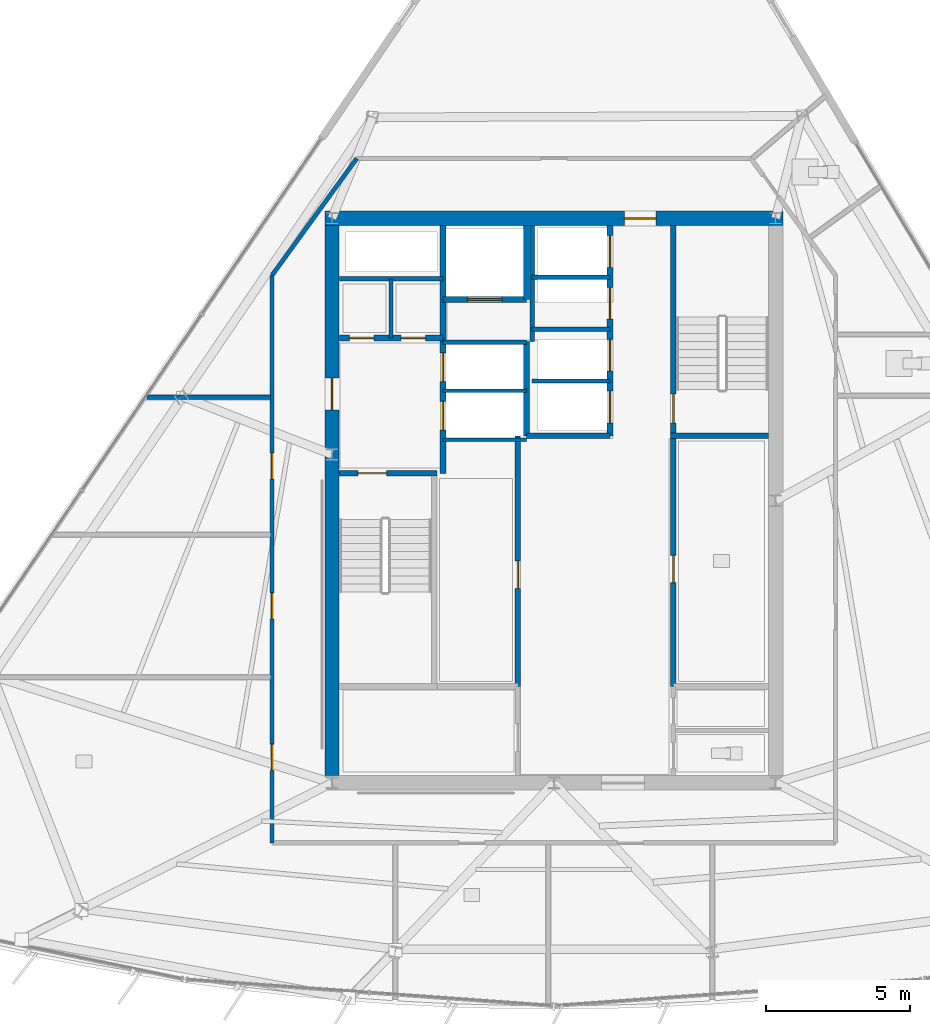
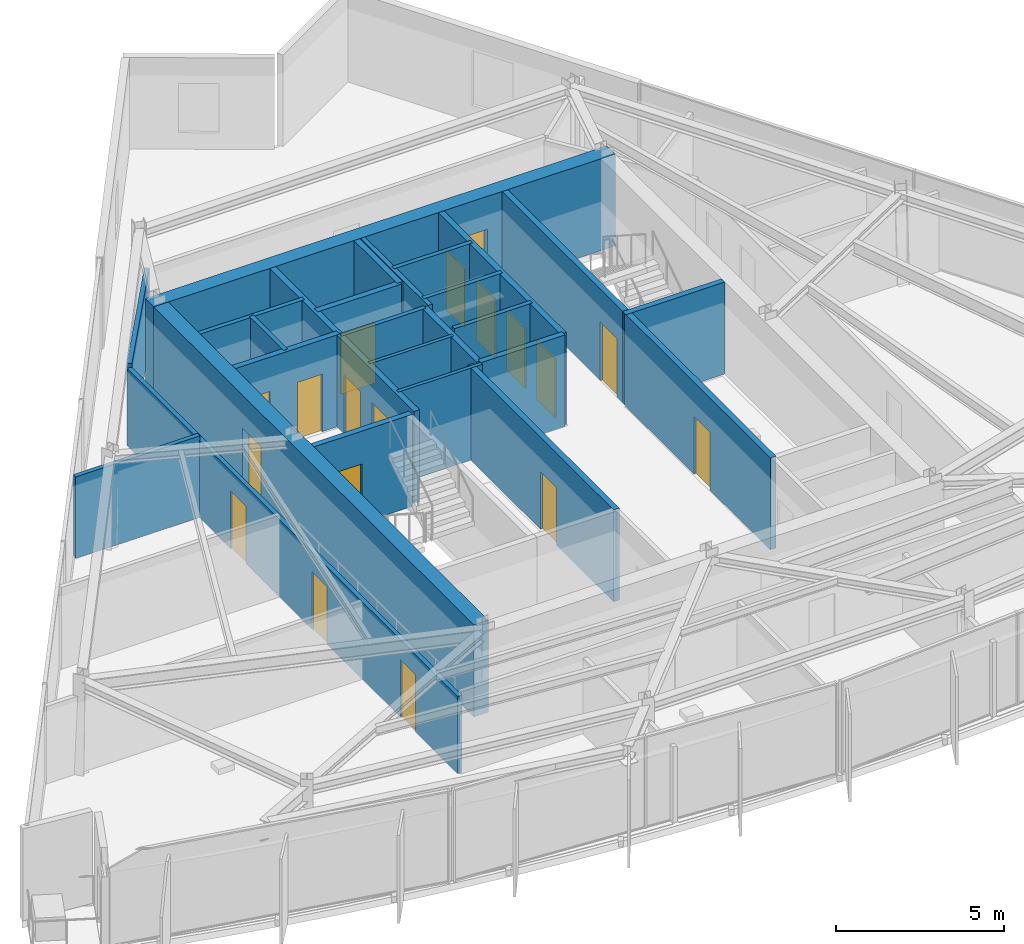
# One storey, part 7 of 13: 26 walls, 18 doors, 18 openings.
"""IFC4 building model written with IfcOpenShell, lengths in metres."""

from ifc_helpers import new_model, si_unit, direction, frame, frame_2d, origin, place, context, subcontext, project, spatial, rectangle, extrude, material, layer, layer_set, type_object, element, fill, save


model = new_model("IFC4")

# Units and contexts
model_context = context("Model", 3, precision=1e-05, world=origin(), true_north=direction((0.0, 1.0)))
body_context = subcontext(model_context, "Body", "Model", "MODEL_VIEW")
ifc_project = project(units=[si_unit("LENGTHUNIT", "METRE"), si_unit("AREAUNIT", "SQUARE_METRE"), si_unit("VOLUMEUNIT", "CUBIC_METRE"), si_unit("PLANEANGLEUNIT", "RADIAN"), si_unit("MASSUNIT", "GRAM", prefix="KILO")], contexts=[model_context])

# Site, building, storey
site_placement = place(None, origin())
site = spatial("IfcSite", under=ifc_project, at=site_placement, CompositionType="ELEMENT")
building_placement = place(site_placement, origin())
building = spatial("IfcBuilding", under=site, at=building_placement, Name="Savorim Split Tower", CompositionType="ELEMENT")
storey_placement = place(building_placement, frame((0.0, 0.0, 223.5)))
storey = spatial("IfcBuildingStorey", under=building, at=storey_placement, Name="L59", CompositionType="ELEMENT", Elevation=223.5)

# Wall, opening, door
ifc_material_1 = material(Name="Concrete C60/75", Category="concrete")
ifc_layer_1 = layer(ifc_material_1, 0.5)
ifc_layer_set_1 = layer_set([ifc_layer_1], Name="WAL-COR-SH500")
wall_type_1 = type_object("IfcWallType", Name="WAL-COR-SH500", PredefinedType="SHEAR", material=ifc_layer_set_1)
wall_1_placement = place(storey_placement, frame((7.949951171875, 10.199951171875, 0.0), z_axis=(0.0, 0.0, 1.0), x_axis=(-1.0, 0.0, 0.0)))
wall_1 = element("IfcWall", 1, at=wall_1_placement, inside=storey, type_object=wall_type_1, Name="L59 Offset Core North Shear Wall", PredefinedType="SHEAR", context=body_context, shape_type="SweptSolid", body=[
    extrude(rectangle(XDim=15.89990234375, YDim=0.5, at=frame_2d((7.949951171875, 0.0))), origin(), (0.0, 0.0, 1.0), 3.35009765625),
])
opening_1_placement = place(wall_1_placement, frame((4.39990234375, 0.0, 0.0)))
opening_1 = element("IfcOpeningElement", 2, at=opening_1_placement, cuts=wall_1, Name="Opening DI-03", PredefinedType="OPENING", context=body_context, shape_type="SweptSolid", body=[
    extrude(rectangle(XDim=1.10009765625, YDim=2.14990234375, at=frame_2d((0.550048828125, 1.074951171875))), frame((0.0, 0.260009765625, 0.0), z_axis=(0.0, -1.0, 0.0), x_axis=(1.0, 0.0, 0.0)), (0.0, 0.0, 1.0), 0.52001953125),
])
ifc_material_2 = material(Name="Timber Fire Door Leaf", Category="wood")
door_type_1 = type_object("IfcDoorType", Name="DOR-FIR-1100", OperationType="NOTDEFINED", PredefinedType="DOOR", material=ifc_material_2)
door_1_placement = place(opening_1_placement, origin())
door_1 = element("IfcDoor", 3, at=door_1_placement, inside=storey, type_object=door_type_1, Name="DOR-L59-COR-NLOB - L59 North Corridor Lobby Fire Door", OperationType="SINGLE_SWING_RIGHT", OverallHeight=2.14990234375, OverallWidth=1.10009765625, PredefinedType="DOOR", context=body_context, shape_type="SweptSolid", body=[
    extrude(rectangle(XDim=1.10009765625, YDim=2.14990234375, at=frame_2d((0.550048828125, 1.074951171875))), frame((0.0, 0.02490234375, 0.0), z_axis=(0.0, -1.0, 0.0), x_axis=(1.0, 0.0, 0.0)), (0.0, 0.0, 1.0), 0.050048828125),
])
fill(opening_1, door_1)

wall_2_placement = place(storey_placement, frame((-7.699951171875, -9.14990234375, 0.0), z_axis=(0.0, 0.0, 1.0), x_axis=(0.0, 1.0, 0.0)))
wall_2 = element("IfcWall", 4, at=wall_2_placement, inside=storey, type_object=wall_type_1, Name="L59 Offset Core West Shear Wall", PredefinedType="SHEAR", context=body_context, shape_type="SweptSolid", body=[
    extrude(rectangle(XDim=19.099853515625, YDim=0.5, at=frame_2d((9.5498046875, 0.0))), origin(), (0.0, 0.0, 1.0), 3.35009765625),
])
opening_2_placement = place(wall_2_placement, frame((12.699951171875, 0.0, 0.0)))
opening_2 = element("IfcOpeningElement", 5, at=opening_2_placement, cuts=wall_2, Name="Opening DI-03", PredefinedType="OPENING", context=body_context, shape_type="SweptSolid", body=[
    extrude(rectangle(XDim=1.10009765625, YDim=2.14990234375, at=frame_2d((0.550048828125, 1.074951171875))), frame((0.0, 0.260009765625, 0.0), z_axis=(0.0, -1.0, 0.0), x_axis=(1.0, 0.0, 0.0)), (0.0, 0.0, 1.0), 0.52001953125),
])
door_2_placement = place(opening_2_placement, origin())
door_2 = element("IfcDoor", 6, at=door_2_placement, inside=storey, type_object=door_type_1, Name="DOR-L59-COR-FFLOB - L59 Firefighting Lobby Corridor Door", OperationType="SINGLE_SWING_LEFT", OverallHeight=2.14990234375, OverallWidth=1.10009765625, PredefinedType="DOOR", context=body_context, shape_type="SweptSolid", body=[
    extrude(rectangle(XDim=1.10009765625, YDim=2.14990234375, at=frame_2d((0.550048828125, 1.074951171875))), frame((0.0, 0.02490234375, 0.0), z_axis=(0.0, -1.0, 0.0), x_axis=(1.0, 0.0, 0.0)), (0.0, 0.0, 1.0), 0.050048828125),
])
fill(opening_2, door_2)

ifc_material_3 = material(Name="Concrete C50/60", Category="concrete")
ifc_layer_2 = layer(ifc_material_3, 0.199951171875)
ifc_layer_set_2 = layer_set([ifc_layer_2], Name="WAL-INT-RC200")
wall_type_2 = type_object("IfcWallType", Name="WAL-INT-RC200", PredefinedType="SOLIDWALL", material=ifc_layer_set_2)
wall_3_placement = place(storey_placement, frame((-7.449951171875, 1.35009765625, 0.0), z_axis=(0.0, 0.0, 1.0), x_axis=(1.0, 0.0, 0.0)))
wall_3 = element("IfcWall", 7, at=wall_3_placement, inside=storey, type_object=wall_type_2, Name="L59 Structural Shaft Wall W-L59-CR01", PredefinedType="SOLIDWALL", context=body_context, shape_type="SweptSolid", body=[
    extrude(rectangle(XDim=3.39990234375, YDim=0.199951171875, at=frame_2d((1.699951171875, 0.0))), origin(), (0.0, 0.0, 1.0), 3.35009765625),
])
opening_3_placement = place(wall_3_placement, frame((0.64990234375, 0.0, 0.0)))
opening_3 = element("IfcOpeningElement", 8, at=opening_3_placement, cuts=wall_3, Name="Opening DI-04", PredefinedType="OPENING", context=body_context, shape_type="SweptSolid", body=[
    extrude(rectangle(XDim=1.0, YDim=2.14990234375, at=frame_2d((0.5, 1.074951171875))), frame((0.0, 0.10986328125, 0.0), z_axis=(0.0, -1.0, 0.0), x_axis=(1.0, 0.0, 0.0)), (0.0, 0.0, 1.0), 0.219970703125),
])
door_type_2 = type_object("IfcDoorType", Name="DOR-FIR-1000", OperationType="NOTDEFINED", PredefinedType="DOOR", material=ifc_material_2)
door_3_placement = place(opening_3_placement, origin())
door_3 = element("IfcDoor", 9, at=door_3_placement, inside=storey, type_object=door_type_2, Name="DR-L59-ST1 - L59 Stair ST-1 Enclosure Door", OperationType="SINGLE_SWING_LEFT", OverallHeight=2.14990234375, OverallWidth=1.0, PredefinedType="DOOR", context=body_context, shape_type="SweptSolid", body=[
    extrude(rectangle(XDim=1.0, YDim=2.14990234375, at=frame_2d((0.5, 1.074951171875))), frame((0.0, 0.02490234375, 0.0), z_axis=(0.0, -1.0, 0.0), x_axis=(1.0, 0.0, 0.0)), (0.0, 0.0, 1.0), 0.050048828125),
])
fill(opening_3, door_3)

# Wall, openings, doors
wall_4_placement = place(storey_placement, frame((-3.85009765625, 1.35009765625, 0.0), z_axis=(0.0, 0.0, 1.0), x_axis=(0.0, 1.0, 0.0)))
wall_4 = element("IfcWall", 10, at=wall_4_placement, inside=storey, type_object=wall_type_2, Name="L59 Partition W-L59-CR03", PredefinedType="SOLIDWALL", context=body_context, shape_type="SweptSolid", body=[
    extrude(rectangle(XDim=8.594970703125, YDim=0.199951171875, at=frame_2d((4.29736328125, 0.0))), origin(), (0.0, 0.0, 1.0), 3.35009765625),
])
opening_4_placement = place(wall_4_placement, frame((1.5, 0.0, 0.0)))
opening_4 = element("IfcOpeningElement", 11, at=opening_4_placement, cuts=wall_4, Name="Opening LD-FFL", PredefinedType="OPENING", context=body_context, shape_type="SweptSolid", body=[
    extrude(rectangle(XDim=1.0, YDim=2.14990234375, at=frame_2d((0.5, 1.074951171875))), frame((0.0, 0.10986328125, 0.0), z_axis=(0.0, -1.0, 0.0), x_axis=(1.0, 0.0, 0.0)), (0.0, 0.0, 1.0), 0.219970703125),
])
opening_5_placement = place(wall_4_placement, frame((3.179931640625, 0.0, 0.0)))
opening_5 = element("IfcOpeningElement", 12, at=opening_5_placement, cuts=wall_4, Name="Opening LD-FFL", PredefinedType="OPENING", context=body_context, shape_type="SweptSolid", body=[
    extrude(rectangle(XDim=1.0, YDim=2.14990234375, at=frame_2d((0.5, 1.074951171875))), frame((0.0, 0.10986328125, 0.0), z_axis=(0.0, -1.0, 0.0), x_axis=(1.0, 0.0, 0.0)), (0.0, 0.0, 1.0), 0.219970703125),
])
ifc_material_4 = material(Name="Charcoal Anodised Aluminium", Category="aluminium")
door_type_3 = type_object("IfcDoorType", Name="DOR-SLD-LD1000", OperationType="NOTDEFINED", PredefinedType="DOOR", material=ifc_material_4)
door_4_placement = place(opening_4_placement, origin())
door_4 = element("IfcDoor", 13, at=door_4_placement, inside=storey, type_object=door_type_3, Name="DR-L59-LD-FFL1 - L59 Firefighting Lift FFL-1 Sliding Landing Door", OperationType="DOUBLE_DOOR_SLIDING", OverallHeight=2.14990234375, OverallWidth=1.0, PredefinedType="DOOR", context=body_context, shape_type="SweptSolid", body=[
    extrude(rectangle(XDim=1.0, YDim=2.14990234375, at=frame_2d((0.5, 1.074951171875))), frame((0.0, 0.02490234375, 0.0), z_axis=(0.0, -1.0, 0.0), x_axis=(1.0, 0.0, 0.0)), (0.0, 0.0, 1.0), 0.050048828125),
])
fill(opening_4, door_4)
door_5_placement = place(opening_5_placement, origin())
door_5 = element("IfcDoor", 14, at=door_5_placement, inside=storey, type_object=door_type_3, Name="DR-L59-LD-FFL2 - L59 Firefighting Lift FFL-2 Sliding Landing Door", OperationType="DOUBLE_DOOR_SLIDING", OverallHeight=2.14990234375, OverallWidth=1.0, PredefinedType="DOOR", context=body_context, shape_type="SweptSolid", body=[
    extrude(rectangle(XDim=1.0, YDim=2.14990234375, at=frame_2d((0.5, 1.074951171875))), frame((0.0, 0.02490234375, 0.0), z_axis=(0.0, -1.0, 0.0), x_axis=(1.0, 0.0, 0.0)), (0.0, 0.0, 1.0), 0.050048828125),
])
fill(opening_5, door_5)

wall_5_placement = place(storey_placement, frame((-7.445068359375, 6.050048828125, 0.0), z_axis=(0.0, 0.0, 1.0), x_axis=(1.0, 0.0, 0.0)))
wall_5 = element("IfcWall", 15, at=wall_5_placement, inside=storey, type_object=wall_type_2, Name="L59 Partition W-L59-CR04", PredefinedType="SOLIDWALL", context=body_context, shape_type="SweptSolid", body=[
    extrude(rectangle(XDim=3.594970703125, YDim=0.199951171875, at=frame_2d((1.79736328125, 0.0))), origin(), (0.0, 0.0, 1.0), 3.35009765625),
])
opening_6_placement = place(wall_5_placement, frame((0.344970703125, 0.0, 0.0)))
opening_6 = element("IfcOpeningElement", 16, at=opening_6_placement, cuts=wall_5, Name="Opening DI-12", PredefinedType="OPENING", context=body_context, shape_type="SweptSolid", body=[
    extrude(rectangle(XDim=0.85009765625, YDim=2.10009765625, at=frame_2d((0.425048828125, 1.050048828125))), frame((0.0, 0.10986328125, 0.0), z_axis=(0.0, -1.0, 0.0), x_axis=(1.0, 0.0, 0.0)), (0.0, 0.0, 1.0), 0.219970703125),
])
opening_7_placement = place(wall_5_placement, frame((2.14501953125, 0.0, 0.0)))
opening_7 = element("IfcOpeningElement", 17, at=opening_7_placement, cuts=wall_5, Name="Opening DI-12", PredefinedType="OPENING", context=body_context, shape_type="SweptSolid", body=[
    extrude(rectangle(XDim=0.85009765625, YDim=2.10009765625, at=frame_2d((0.425048828125, 1.050048828125))), frame((0.0, 0.10986328125, 0.0), z_axis=(0.0, -1.0, 0.0), x_axis=(1.0, 0.0, 0.0)), (0.0, 0.0, 1.0), 0.219970703125),
])
ifc_material_5 = material(Name="Galvanised Painted Steel Balustrade", Category="steel")
door_type_4 = type_object("IfcDoorType", Name="DOR-RIS-850", OperationType="NOTDEFINED", PredefinedType="DOOR", material=ifc_material_5)
door_6_placement = place(opening_6_placement, origin())
door_6 = element("IfcDoor", 18, at=door_6_placement, inside=storey, type_object=door_type_4, Name="DR-L59-ELR - L59 Electrical Riser Access Door", OperationType="SINGLE_SWING_RIGHT", OverallHeight=2.10009765625, OverallWidth=0.85009765625, PredefinedType="DOOR", context=body_context, shape_type="SweptSolid", body=[
    extrude(rectangle(XDim=0.85009765625, YDim=2.10009765625, at=frame_2d((0.425048828125, 1.050048828125))), frame((0.0, 0.02490234375, 0.0), z_axis=(0.0, -1.0, 0.0), x_axis=(1.0, 0.0, 0.0)), (0.0, 0.0, 1.0), 0.050048828125),
])
fill(opening_6, door_6)
door_7_placement = place(opening_7_placement, origin())
door_7 = element("IfcDoor", 19, at=door_7_placement, inside=storey, type_object=door_type_4, Name="DR-L59-TLR - L59 Telecom Riser Access Door", OperationType="SINGLE_SWING_LEFT", OverallHeight=2.10009765625, OverallWidth=0.85009765625, PredefinedType="DOOR", context=body_context, shape_type="SweptSolid", body=[
    extrude(rectangle(XDim=0.85009765625, YDim=2.10009765625, at=frame_2d((0.425048828125, 1.050048828125))), frame((0.0, 0.02490234375, 0.0), z_axis=(0.0, -1.0, 0.0), x_axis=(1.0, 0.0, 0.0)), (0.0, 0.0, 1.0), 0.050048828125),
])
fill(opening_7, door_7)

# Wall, opening, door
wall_6_placement = place(storey_placement, frame((4.14990234375, 2.75, 0.0), z_axis=(0.0, 0.0, 1.0), x_axis=(0.0, 1.0, 0.0)))
wall_6 = element("IfcWall", 20, at=wall_6_placement, inside=storey, type_object=wall_type_2, Name="L59 Structural Shaft Wall W-L59-CR07", PredefinedType="SOLIDWALL", context=body_context, shape_type="SweptSolid", body=[
    extrude(rectangle(XDim=7.199951171875, YDim=0.199951171875, at=frame_2d((3.60009765625, 0.0))), origin(), (0.0, 0.0, 1.0), 3.35009765625),
])
opening_8_placement = place(wall_6_placement, frame((0.35009765625, 0.0, 0.0)))
opening_8 = element("IfcOpeningElement", 21, at=opening_8_placement, cuts=wall_6, Name="Opening DI-04", PredefinedType="OPENING", context=body_context, shape_type="SweptSolid", body=[
    extrude(rectangle(XDim=1.0, YDim=2.14990234375, at=frame_2d((0.5, 1.074951171875))), frame((0.0, 0.10986328125, 0.0), z_axis=(0.0, -1.0, 0.0), x_axis=(1.0, 0.0, 0.0)), (0.0, 0.0, 1.0), 0.219970703125),
])
door_8_placement = place(opening_8_placement, origin())
door_8 = element("IfcDoor", 22, at=door_8_placement, inside=storey, type_object=door_type_2, Name="DR-L59-ST2 - L59 Stair ST-2 Enclosure Door", OperationType="SINGLE_SWING_RIGHT", OverallHeight=2.14990234375, OverallWidth=1.0, PredefinedType="DOOR", context=body_context, shape_type="SweptSolid", body=[
    extrude(rectangle(XDim=1.0, YDim=2.14990234375, at=frame_2d((0.5, 1.074951171875))), frame((0.0, 0.02490234375, 0.0), z_axis=(0.0, -1.0, 0.0), x_axis=(1.0, 0.0, 0.0)), (0.0, 0.0, 1.0), 0.050048828125),
])
fill(opening_8, door_8)

# Walls
wall_7_placement = place(storey_placement, frame((4.050048828125, 2.64990234375, 0.0), z_axis=(0.0, 0.0, 1.0), x_axis=(1.0, 0.0, 0.0)))
element("IfcWall", 23, at=wall_7_placement, inside=storey, type_object=wall_type_2, Name="L59 Structural Shaft Wall W-L59-CR08", PredefinedType="SOLIDWALL", context=body_context, shape_type="SweptSolid", body=[
    extrude(rectangle(XDim=3.39990234375, YDim=0.199951171875, at=frame_2d((1.699951171875, 0.0))), origin(), (0.0, 0.0, 1.0), 3.35009765625),
])
wall_8_placement = place(storey_placement, frame((-0.949951171875, 2.64990234375, 0.0), z_axis=(0.0, 0.0, 1.0), x_axis=(0.0, 1.0, 0.0)))
element("IfcWall", 24, at=wall_8_placement, inside=storey, type_object=wall_type_2, Name="L59 Partition W-L59-FFLW", PredefinedType="SOLIDWALL", context=body_context, shape_type="SweptSolid", body=[
    extrude(rectangle(XDim=3.27001953125, YDim=0.199951171875, at=frame_2d((1.635009765625, 0.0))), origin(), (0.0, 0.0, 1.0), 3.35009765625),
])

# Wall, opening, door
wall_9_placement = place(storey_placement, frame((-3.85009765625, 7.3798828125, 0.0), z_axis=(0.0, 0.0, 1.0), x_axis=(1.0, 0.0, 0.0)))
wall_9 = element("IfcWall", 25, at=wall_9_placement, inside=storey, type_object=wall_type_2, Name="L59 Partition W-L59-SVLS", PredefinedType="SOLIDWALL", context=body_context, shape_type="SweptSolid", body=[
    extrude(rectangle(XDim=2.900146484375, YDim=0.199951171875, at=frame_2d((1.4501953125, 0.0))), origin(), (0.0, 0.0, 1.0), 3.35009765625),
])
opening_9_placement = place(wall_9_placement, frame((0.85009765625, 0.0, 0.0)))
opening_9 = element("IfcOpeningElement", 26, at=opening_9_placement, cuts=wall_9, Name="Opening LD-SV", PredefinedType="OPENING", context=body_context, shape_type="SweptSolid", body=[
    extrude(rectangle(XDim=1.199951171875, YDim=2.199951171875, at=frame_2d((0.60009765625, 1.10009765625))), frame((0.0, 0.10986328125, 0.0), z_axis=(0.0, -1.0, 0.0), x_axis=(1.0, 0.0, 0.0)), (0.0, 0.0, 1.0), 0.219970703125),
])
door_type_5 = type_object("IfcDoorType", Name="DOR-SLD-SV1200", OperationType="NOTDEFINED", PredefinedType="DOOR", material=ifc_material_4)
door_9_placement = place(opening_9_placement, origin())
door_9 = element("IfcDoor", 27, at=door_9_placement, inside=storey, type_object=door_type_5, Name="DR-L59-LD-SVL1 - L59 Service Lift SVL-1 Sliding Landing Door", OperationType="DOUBLE_DOOR_SLIDING", OverallHeight=2.199951171875, OverallWidth=1.199951171875, PredefinedType="DOOR", context=body_context, shape_type="SweptSolid", body=[
    extrude(rectangle(XDim=1.199951171875, YDim=2.199951171875, at=frame_2d((0.60009765625, 1.10009765625))), frame((0.0, 0.02490234375, 0.0), z_axis=(0.0, -1.0, 0.0), x_axis=(1.0, 0.0, 0.0)), (0.0, 0.0, 1.0), 0.050048828125),
])
fill(opening_9, door_9)

# Wall
wall_10_placement = place(storey_placement, frame((-0.949951171875, 7.3798828125, 0.0), z_axis=(0.0, 0.0, 1.0), x_axis=(0.0, 1.0, 0.0)))
element("IfcWall", 28, at=wall_10_placement, inside=storey, type_object=wall_type_2, Name="L59 Partition W-L59-SVLE", PredefinedType="SOLIDWALL", context=body_context, shape_type="SweptSolid", body=[
    extrude(rectangle(XDim=2.565185546875, YDim=0.199951171875, at=frame_2d((1.28271484375, 0.0))), origin(), (0.0, 0.0, 1.0), 3.35009765625),
])

# Wall, opening, door
wall_11_placement = place(storey_placement, frame((4.14990234375, -6.050048828125, 0.0), z_axis=(0.0, 0.0, 1.0), x_axis=(0.0, 1.0, 0.0)))
wall_11 = element("IfcWall", 29, at=wall_11_placement, inside=storey, type_object=wall_type_2, Name="L59 Partition W-L59-B1FRONT", PredefinedType="SOLIDWALL", context=body_context, shape_type="SweptSolid", body=[
    extrude(rectangle(XDim=8.699951171875, YDim=0.199951171875, at=frame_2d((4.35009765625, 0.0))), origin(), (0.0, 0.0, 1.0), 3.35009765625),
])
opening_10_placement = place(wall_11_placement, frame((3.60009765625, 0.0, 0.0)))
opening_10 = element("IfcOpeningElement", 30, at=opening_10_placement, cuts=wall_11, Name="Opening DI-05", PredefinedType="OPENING", context=body_context, shape_type="SweptSolid", body=[
    extrude(rectangle(XDim=0.949951171875, YDim=2.10009765625, at=frame_2d((0.47509765625, 1.050048828125))), frame((0.0, 0.10986328125, 0.0), z_axis=(0.0, -1.0, 0.0), x_axis=(1.0, 0.0, 0.0)), (0.0, 0.0, 1.0), 0.219970703125),
])
door_type_6 = type_object("IfcDoorType", Name="DOR-FIR-950", OperationType="NOTDEFINED", PredefinedType="DOOR", material=ifc_material_2)
door_10_placement = place(opening_10_placement, origin())
door_10 = element("IfcDoor", 31, at=door_10_placement, inside=storey, type_object=door_type_6, Name="DR-L59-LV7B1 - L59 Community Laundry Room Door", OperationType="SINGLE_SWING_RIGHT", OverallHeight=2.10009765625, OverallWidth=0.949951171875, PredefinedType="DOOR", context=body_context, shape_type="SweptSolid", body=[
    extrude(rectangle(XDim=0.949951171875, YDim=2.10009765625, at=frame_2d((0.47509765625, 1.050048828125))), frame((0.0, 0.02490234375, 0.0), z_axis=(0.0, -1.0, 0.0), x_axis=(1.0, 0.0, 0.0)), (0.0, 0.0, 1.0), 0.050048828125),
])
fill(opening_10, door_10)

wall_12_placement = place(storey_placement, frame((-1.25, -6.050048828125, 0.0), z_axis=(0.0, 0.0, 1.0), x_axis=(0.0, 1.0, 0.0)))
wall_12 = element("IfcWall", 32, at=wall_12_placement, inside=storey, type_object=wall_type_2, Name="L59 Partition W-L59-B2FRONT", PredefinedType="SOLIDWALL", context=body_context, shape_type="SweptSolid", body=[
    extrude(rectangle(XDim=8.699951171875, YDim=0.199951171875, at=frame_2d((4.35009765625, 0.0))), origin(), (0.0, 0.0, 1.0), 3.35009765625),
])
opening_11_placement = place(wall_12_placement, frame((3.39990234375, 0.0, 0.0)))
opening_11 = element("IfcOpeningElement", 33, at=opening_11_placement, cuts=wall_12, Name="Opening DI-05", PredefinedType="OPENING", context=body_context, shape_type="SweptSolid", body=[
    extrude(rectangle(XDim=0.949951171875, YDim=2.10009765625, at=frame_2d((0.47509765625, 1.050048828125))), frame((0.0, 0.10986328125, 0.0), z_axis=(0.0, -1.0, 0.0), x_axis=(1.0, 0.0, 0.0)), (0.0, 0.0, 1.0), 0.219970703125),
])
door_11_placement = place(opening_11_placement, origin())
door_11 = element("IfcDoor", 34, at=door_11_placement, inside=storey, type_object=door_type_6, Name="DR-L59-LV7B2 - L59 Quiet Study Room Door", OperationType="SINGLE_SWING_LEFT", OverallHeight=2.10009765625, OverallWidth=0.949951171875, PredefinedType="DOOR", context=body_context, shape_type="SweptSolid", body=[
    extrude(rectangle(XDim=0.949951171875, YDim=2.10009765625, at=frame_2d((0.47509765625, 1.050048828125))), frame((0.0, 0.02490234375, 0.0), z_axis=(0.0, -1.0, 0.0), x_axis=(1.0, 0.0, 0.0)), (0.0, 0.0, 1.0), 0.050048828125),
])
fill(opening_11, door_11)

# Wall, openings, doors
wall_13_placement = place(storey_placement, frame((1.949951171875, 2.64990234375, 0.0), z_axis=(0.0, 0.0, 1.0), x_axis=(0.0, 1.0, 0.0)))
wall_13 = element("IfcWall", 35, at=wall_13_placement, inside=storey, type_object=wall_type_2, Name="L59 Partition W-L59-B3FRONT", PredefinedType="SOLIDWALL", context=body_context, shape_type="SweptSolid", body=[
    extrude(rectangle(XDim=7.295166015625, YDim=0.199951171875, at=frame_2d((3.6474609375, 0.0))), origin(), (0.0, 0.0, 1.0), 3.35009765625),
])
opening_12_placement = place(wall_13_placement, frame((0.449951171875, 0.0, 0.0)))
opening_12 = element("IfcOpeningElement", 36, at=opening_12_placement, cuts=wall_13, Name="Opening LD-03", PredefinedType="OPENING", context=body_context, shape_type="SweptSolid", body=[
    extrude(rectangle(XDim=1.10009765625, YDim=2.14990234375, at=frame_2d((0.550048828125, 1.074951171875))), frame((0.0, 0.10986328125, 0.0), z_axis=(0.0, -1.0, 0.0), x_axis=(1.0, 0.0, 0.0)), (0.0, 0.0, 1.0), 0.219970703125),
])
opening_13_placement = place(wall_13_placement, frame((2.25, 0.0, 0.0)))
opening_13 = element("IfcOpeningElement", 37, at=opening_13_placement, cuts=wall_13, Name="Opening LD-03", PredefinedType="OPENING", context=body_context, shape_type="SweptSolid", body=[
    extrude(rectangle(XDim=1.10009765625, YDim=2.14990234375, at=frame_2d((0.550048828125, 1.074951171875))), frame((0.0, 0.10986328125, 0.0), z_axis=(0.0, -1.0, 0.0), x_axis=(1.0, 0.0, 0.0)), (0.0, 0.0, 1.0), 0.219970703125),
])
opening_14_placement = place(wall_13_placement, frame((4.050048828125, 0.0, 0.0)))
opening_14 = element("IfcOpeningElement", 38, at=opening_14_placement, cuts=wall_13, Name="Opening LD-03", PredefinedType="OPENING", context=body_context, shape_type="SweptSolid", body=[
    extrude(rectangle(XDim=1.10009765625, YDim=2.14990234375, at=frame_2d((0.550048828125, 1.074951171875))), frame((0.0, 0.10986328125, 0.0), z_axis=(0.0, -1.0, 0.0), x_axis=(1.0, 0.0, 0.0)), (0.0, 0.0, 1.0), 0.219970703125),
])
opening_15_placement = place(wall_13_placement, frame((5.85009765625, 0.0, 0.0)))
opening_15 = element("IfcOpeningElement", 39, at=opening_15_placement, cuts=wall_13, Name="Opening LD-03", PredefinedType="OPENING", context=body_context, shape_type="SweptSolid", body=[
    extrude(rectangle(XDim=1.10009765625, YDim=2.14990234375, at=frame_2d((0.550048828125, 1.074951171875))), frame((0.0, 0.10986328125, 0.0), z_axis=(0.0, -1.0, 0.0), x_axis=(1.0, 0.0, 0.0)), (0.0, 0.0, 1.0), 0.219970703125),
])
door_type_7 = type_object("IfcDoorType", Name="DOR-SLD-LDH1100", OperationType="NOTDEFINED", PredefinedType="DOOR", material=ifc_material_4)
door_12_placement = place(opening_12_placement, origin())
door_12 = element("IfcDoor", 40, at=door_12_placement, inside=storey, type_object=door_type_7, Name="DR-L59-LD-PLH1 - L59 Lift PL-H1 Sliding Landing Door", OperationType="DOUBLE_DOOR_SLIDING", OverallHeight=2.14990234375, OverallWidth=1.10009765625, PredefinedType="DOOR", context=body_context, shape_type="SweptSolid", body=[
    extrude(rectangle(XDim=1.10009765625, YDim=2.14990234375, at=frame_2d((0.550048828125, 1.074951171875))), frame((0.0, 0.02490234375, 0.0), z_axis=(0.0, -1.0, 0.0), x_axis=(1.0, 0.0, 0.0)), (0.0, 0.0, 1.0), 0.050048828125),
])
fill(opening_12, door_12)
door_13_placement = place(opening_13_placement, origin())
door_13 = element("IfcDoor", 41, at=door_13_placement, inside=storey, type_object=door_type_7, Name="DR-L59-LD-PLH2 - L59 Lift PL-H2 Sliding Landing Door", OperationType="DOUBLE_DOOR_SLIDING", OverallHeight=2.14990234375, OverallWidth=1.10009765625, PredefinedType="DOOR", context=body_context, shape_type="SweptSolid", body=[
    extrude(rectangle(XDim=1.10009765625, YDim=2.14990234375, at=frame_2d((0.550048828125, 1.074951171875))), frame((0.0, 0.02490234375, 0.0), z_axis=(0.0, -1.0, 0.0), x_axis=(1.0, 0.0, 0.0)), (0.0, 0.0, 1.0), 0.050048828125),
])
fill(opening_13, door_13)
door_14_placement = place(opening_14_placement, origin())
door_14 = element("IfcDoor", 42, at=door_14_placement, inside=storey, type_object=door_type_7, Name="DR-L59-LD-PLH3 - L59 Lift PL-H3 Sliding Landing Door", OperationType="DOUBLE_DOOR_SLIDING", OverallHeight=2.14990234375, OverallWidth=1.10009765625, PredefinedType="DOOR", context=body_context, shape_type="SweptSolid", body=[
    extrude(rectangle(XDim=1.10009765625, YDim=2.14990234375, at=frame_2d((0.550048828125, 1.074951171875))), frame((0.0, 0.02490234375, 0.0), z_axis=(0.0, -1.0, 0.0), x_axis=(1.0, 0.0, 0.0)), (0.0, 0.0, 1.0), 0.050048828125),
])
fill(opening_14, door_14)
door_15_placement = place(opening_15_placement, origin())
door_15 = element("IfcDoor", 43, at=door_15_placement, inside=storey, type_object=door_type_7, Name="DR-L59-LD-PLH4 - L59 Lift PL-H4 Sliding Landing Door", OperationType="DOUBLE_DOOR_SLIDING", OverallHeight=2.14990234375, OverallWidth=1.10009765625, PredefinedType="DOOR", context=body_context, shape_type="SweptSolid", body=[
    extrude(rectangle(XDim=1.10009765625, YDim=2.14990234375, at=frame_2d((0.550048828125, 1.074951171875))), frame((0.0, 0.02490234375, 0.0), z_axis=(0.0, -1.0, 0.0), x_axis=(1.0, 0.0, 0.0)), (0.0, 0.0, 1.0), 0.050048828125),
])
fill(opening_15, door_15)

# Walls
wall_14_placement = place(storey_placement, frame((-0.949951171875, 2.64990234375, 0.0), z_axis=(0.0, 0.0, 1.0), x_axis=(1.0, 0.0, 0.0)))
element("IfcWall", 44, at=wall_14_placement, inside=storey, type_object=wall_type_2, Name="L59 Partition W-L59-B3SOUTH", PredefinedType="SOLIDWALL", context=body_context, shape_type="SweptSolid", body=[
    extrude(rectangle(XDim=2.89990234375, YDim=0.199951171875, at=frame_2d((1.449951171875, 0.0))), origin(), (0.0, 0.0, 1.0), 3.35009765625),
])
ifc_material_6 = material(Name="Acoustic Gypsum Partition Board")
ifc_layer_3 = layer(ifc_material_6, 0.1201171875)
ifc_layer_set_3 = layer_set([ifc_layer_3], Name="WAL-PAR-120")
wall_type_3 = type_object("IfcWallType", Name="WAL-PAR-120", PredefinedType="PARTITIONING", material=ifc_layer_set_3)
for number, where, z_axis, x_axis, name in (
    (45, (-3.85009765625, 2.52001953125, 0.0), (0.0, 0.0, 1.0), (1.0, 0.0, 0.0), "L59 Partition W-L59-FFLD0"),
    (46, (-3.85009765625, 4.219970703125, 0.0), (0.0, 0.0, 1.0), (1.0, 0.0, 0.0), "L59 Partition W-L59-FFLD1"),
):
    element("IfcWall", number, at=place(storey_placement, frame(where, z_axis=z_axis, x_axis=x_axis)), inside=storey, type_object=wall_type_3, Name=name, PredefinedType="PARTITIONING", context=body_context, shape_type="SweptSolid", body=[
        extrude(rectangle(XDim=2.900146484375, YDim=0.1201171875, at=frame_2d((1.4501953125, 0.0))), origin(), (0.0, 0.0, 1.0), 3.35009765625),
    ])
ifc_layer_4 = layer(ifc_material_6, 0.14990234375)
ifc_layer_set_4 = layer_set([ifc_layer_4], Name="WAL-PAR-150")
wall_type_4 = type_object("IfcWallType", Name="WAL-PAR-150", PredefinedType="PARTITIONING", material=ifc_layer_set_4)
wall_15_placement = place(storey_placement, frame((-7.445068359375, 8.10009765625, 0.0), z_axis=(0.0, 0.0, 1.0), x_axis=(1.0, 0.0, 0.0)))
element("IfcWall", 47, at=wall_15_placement, inside=storey, type_object=wall_type_4, Name="L59 Partition W-L59-CR05", PredefinedType="PARTITIONING", context=body_context, shape_type="SweptSolid", body=[
    extrude(rectangle(XDim=3.594970703125, YDim=0.14990234375, at=frame_2d((1.79736328125, 0.0))), origin(), (0.0, 0.0, 1.0), 3.35009765625),
])
wall_16_placement = place(storey_placement, frame((-5.64990234375, 6.050048828125, 0.0), z_axis=(0.0, 0.0, 1.0), x_axis=(0.0, 1.0, 0.0)))
element("IfcWall", 48, at=wall_16_placement, inside=storey, type_object=wall_type_4, Name="L59 Partition W-L59-CR06", PredefinedType="PARTITIONING", context=body_context, shape_type="SweptSolid", body=[
    extrude(rectangle(XDim=2.050048828125, YDim=0.14990234375, at=frame_2d((1.02490234375, 0.0))), origin(), (0.0, 0.0, 1.0), 3.35009765625),
])
wall_17_placement = place(storey_placement, frame((-3.85009765625, 5.89990234375, 0.0), z_axis=(0.0, 0.0, 1.0), x_axis=(1.0, 0.0, 0.0)))
element("IfcWall", 49, at=wall_17_placement, inside=storey, type_object=wall_type_4, Name="L59 Partition W-L59-FFLD2", PredefinedType="PARTITIONING", context=body_context, shape_type="SweptSolid", body=[
    extrude(rectangle(XDim=2.900146484375, YDim=0.14990234375, at=frame_2d((1.4501953125, 0.0))), origin(), (0.0, 0.0, 1.0), 3.35009765625),
])
wall_18_placement = place(storey_placement, frame((-0.75, 5.919921875, 0.0), z_axis=(0.0, 0.0, 1.0), x_axis=(0.0, 1.0, 0.0)))
element("IfcWall", 50, at=wall_18_placement, inside=storey, type_object=wall_type_4, Name="L59 Partition W-L59-B3WEST", PredefinedType="PARTITIONING", context=body_context, shape_type="SweptSolid", body=[
    extrude(rectangle(XDim=4.025146484375, YDim=0.14990234375, at=frame_2d((2.0126953125, 0.0))), origin(), (0.0, 0.0, 1.0), 3.35009765625),
])
for number, where, z_axis, x_axis, name in (
    (51, (-0.75, 4.550048828125, 0.0), (0.0, 0.0, 1.0), (1.0, 0.0, 0.0), "L59 Partition W-L59-B3DIV1"),
    (52, (-0.75, 6.35009765625, 0.0), (0.0, 0.0, 1.0), (1.0, 0.0, 0.0), "L59 Partition W-L59-B3DIV2"),
    (53, (-0.75, 8.14990234375, 0.0), (0.0, 0.0, 1.0), (1.0, 0.0, 0.0), "L59 Partition W-L59-B3DIV3"),
):
    element("IfcWall", number, at=place(storey_placement, frame(where, z_axis=z_axis, x_axis=x_axis)), inside=storey, type_object=wall_type_4, Name=name, PredefinedType="PARTITIONING", context=body_context, shape_type="SweptSolid", body=[
        extrude(rectangle(XDim=2.699951171875, YDim=0.14990234375, at=frame_2d((1.35009765625, 0.0))), origin(), (0.0, 0.0, 1.0), 3.35009765625),
    ])

# Wall, openings, doors
wall_19_placement = place(storey_placement, frame((-9.780029296875, -11.47998046875, 0.0), z_axis=(0.0, 0.0, 1.0), x_axis=(0.0, 1.0, 0.0)))
wall_19 = element("IfcWall", 54, at=wall_19_placement, inside=storey, type_object=wall_type_4, Name="L59 Partition W-L59-COR-01", PredefinedType="PARTITIONING", context=body_context, shape_type="SweptSolid", body=[
    extrude(rectangle(XDim=19.705810546875, YDim=0.14990234375, at=frame_2d((9.85302734375, 0.0))), origin(), (0.0, 0.0, 1.0), 2.824951171875),
])
opening_16_placement = place(wall_19_placement, frame((7.77490234375, 0.0, 0.0)))
opening_16 = element("IfcOpeningElement", 55, at=opening_16_placement, cuts=wall_19, Name="Opening DI-06", PredefinedType="OPENING", context=body_context, shape_type="SweptSolid", body=[
    extrude(rectangle(XDim=0.89990234375, YDim=2.10009765625, at=frame_2d((0.449951171875, 1.050048828125))), frame((0.0, 0.0849609375, 0.0), z_axis=(0.0, -1.0, 0.0), x_axis=(1.0, 0.0, 0.0)), (0.0, 0.0, 1.0), 0.169921875),
])
opening_17_placement = place(wall_19_placement, frame((2.5146484375, 0.0, 0.0)))
opening_17 = element("IfcOpeningElement", 56, at=opening_17_placement, cuts=wall_19, Name="Opening DI-06", PredefinedType="OPENING", context=body_context, shape_type="SweptSolid", body=[
    extrude(rectangle(XDim=0.89990234375, YDim=2.10009765625, at=frame_2d((0.449951171875, 1.050048828125))), frame((0.0, 0.0849609375, 0.0), z_axis=(0.0, -1.0, 0.0), x_axis=(1.0, 0.0, 0.0)), (0.0, 0.0, 1.0), 0.169921875),
])
opening_18_placement = place(wall_19_placement, frame((12.635009765625, 0.0, 0.0)))
opening_18 = element("IfcOpeningElement", 57, at=opening_18_placement, cuts=wall_19, Name="Opening DI-06", PredefinedType="OPENING", context=body_context, shape_type="SweptSolid", body=[
    extrude(rectangle(XDim=0.89990234375, YDim=2.10009765625, at=frame_2d((0.449951171875, 1.050048828125))), frame((0.0, 0.0849609375, 0.0), z_axis=(0.0, -1.0, 0.0), x_axis=(1.0, 0.0, 0.0)), (0.0, 0.0, 1.0), 0.169921875),
])
door_type_8 = type_object("IfcDoorType", Name="DOR-FIR-900", OperationType="NOTDEFINED", PredefinedType="DOOR", material=ifc_material_2)
door_16_placement = place(opening_16_placement, origin())
door_16 = element("IfcDoor", 58, at=door_16_placement, inside=storey, type_object=door_type_8, Name="DR-L59-RM01 - L59 Quiet Study Room Entry Door", OperationType="SINGLE_SWING_RIGHT", OverallHeight=2.10009765625, OverallWidth=0.89990234375, PredefinedType="DOOR", context=body_context, shape_type="SweptSolid", body=[
    extrude(rectangle(XDim=0.89990234375, YDim=2.10009765625, at=frame_2d((0.449951171875, 1.050048828125))), frame((0.0, 0.02490234375, 0.0), z_axis=(0.0, -1.0, 0.0), x_axis=(1.0, 0.0, 0.0)), (0.0, 0.0, 1.0), 0.050048828125),
])
fill(opening_16, door_16)
door_17_placement = place(opening_17_placement, origin())
door_17 = element("IfcDoor", 59, at=door_17_placement, inside=storey, type_object=door_type_8, Name="DR-L59-RM02 - L59 Community Laundry Room Entry Door", OperationType="SINGLE_SWING_LEFT", OverallHeight=2.10009765625, OverallWidth=0.89990234375, PredefinedType="DOOR", context=body_context, shape_type="SweptSolid", body=[
    extrude(rectangle(XDim=0.89990234375, YDim=2.10009765625, at=frame_2d((0.449951171875, 1.050048828125))), frame((0.0, 0.02490234375, 0.0), z_axis=(0.0, -1.0, 0.0), x_axis=(1.0, 0.0, 0.0)), (0.0, 0.0, 1.0), 0.050048828125),
])
fill(opening_17, door_17)
door_18_placement = place(opening_18_placement, origin())
door_18 = element("IfcDoor", 60, at=door_18_placement, inside=storey, type_object=door_type_8, Name="DR-L59-RM10 - L59 Quiet Study Room Entry Door", OperationType="SINGLE_SWING_LEFT", OverallHeight=2.10009765625, OverallWidth=0.89990234375, PredefinedType="DOOR", context=body_context, shape_type="SweptSolid", body=[
    extrude(rectangle(XDim=0.89990234375, YDim=2.10009765625, at=frame_2d((0.449951171875, 1.050048828125))), frame((0.0, 0.02490234375, 0.0), z_axis=(0.0, -1.0, 0.0), x_axis=(1.0, 0.0, 0.0)), (0.0, 0.0, 1.0), 0.050048828125),
])
fill(opening_18, door_18)

# Walls
wall_20_placement = place(storey_placement, frame((-9.780029296875, 8.225830078125, 0.0), z_axis=(0.0, 0.0, 1.0), x_axis=(0.586956386413, 0.809618552436, 0.0)))
element("IfcWall", 61, at=wall_20_placement, inside=storey, type_object=wall_type_4, Name="L59 Partition W-L59-COR-02", PredefinedType="PARTITIONING", context=body_context, shape_type="SweptSolid", body=[
    extrude(rectangle(XDim=5.007568359375, YDim=0.14990234375, at=frame_2d((2.50390625, 0.0))), origin(), (0.0, 0.0, 1.0), 2.97509765625),
])
wall_21_placement = place(storey_placement, frame((-9.840087890625, 3.991455078125, 0.0), z_axis=(0.0, 0.0, 1.0), x_axis=(-1.0, 0.0, 0.0)))
element("IfcWall", 62, at=wall_21_placement, inside=storey, type_object=wall_type_4, Name="L59 Partition W-L59-PRAD09", PredefinedType="PARTITIONING", context=body_context, shape_type="SweptSolid", body=[
    extrude(rectangle(XDim=4.277099609375, YDim=0.14990234375, at=frame_2d((2.138671875, 0.0))), origin(), (0.0, 0.0, 1.0), 2.97509765625),
])

save(model, "model.ifc")
